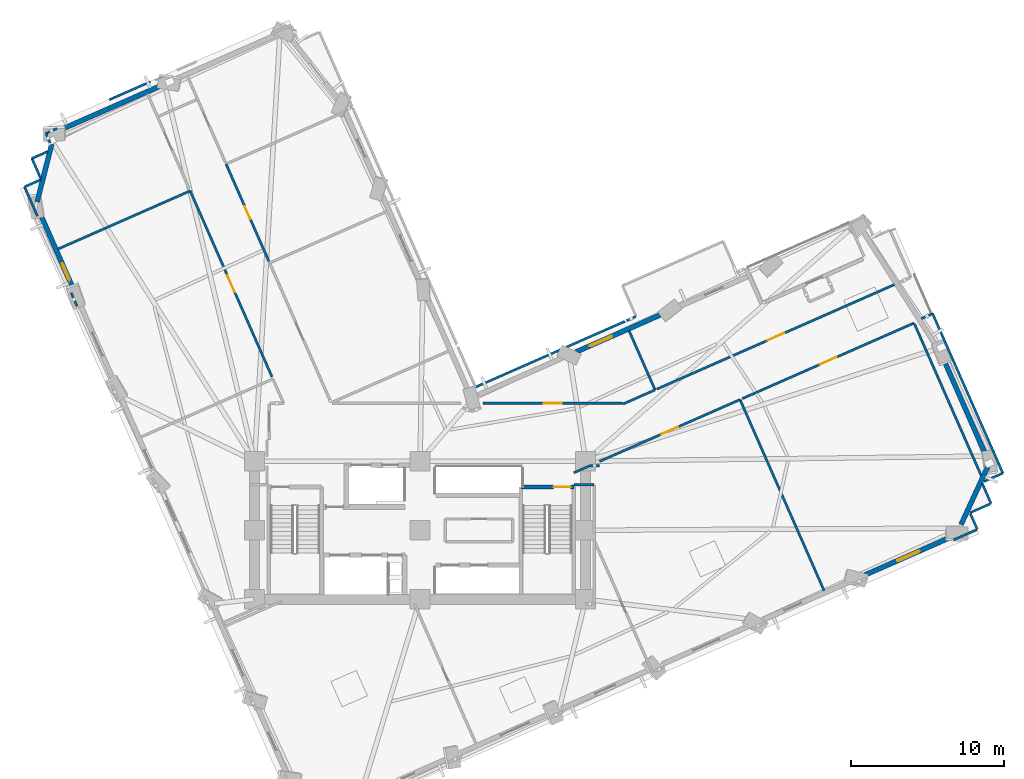
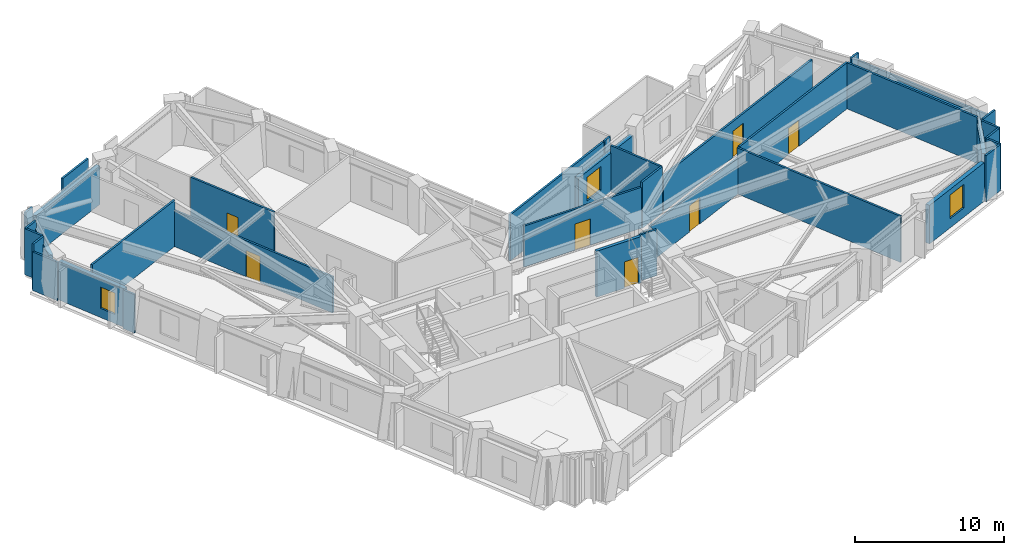
# One storey, part 9 of 15: 39 walls, 7 doors, 3 windows, 10 openings.
"""IFC4 building model written with IfcOpenShell, lengths in metres."""

import ifcopenshell
import ifcopenshell.guid

model = None  # the IFC model being written
_history = None  # IfcOwnerHistory: only IFC2X3 demands one
_inside = {}  # id of a spatial element -> (the spatial element, [elements in it])
_under = {}  # id of a project, library or spatial element -> (it, [spatial elements below it])
_declared = {}  # id of a project -> (the project, [libraries it declares])
_typed = {}  # id of a type object -> (the type object, [elements of that type])
_made_of = {}  # id of a material, layer set ... -> (it, [elements and type objects made of it])


def new_model(schema):
    """Start an empty IFC model of exactly this schema.

    Asked for "IFC4X3", IfcOpenShell would pick the latest addendum, in which some entities
    have other attributes; the version numbers below select the first issue.
    IFC2X3 requires an IfcOwnerHistory on every rooted entity: one is made here for all.
    """
    global model, _history
    if schema == "IFC4X3":
        model = ifcopenshell.file(schema_version=(4, 3, 0, 0))
    else:
        model = ifcopenshell.file(schema=schema)
    _inside.clear()
    _under.clear()
    _declared.clear()
    _typed.clear()
    _made_of.clear()
    _history = None
    if model.schema == "IFC2X3":
        org = make("IfcOrganization", Name="unknown")
        user = make(
            "IfcPersonAndOrganization",
            ThePerson=make("IfcPerson", FamilyName="unknown"),
            TheOrganization=org,
        )
        app = make(
            "IfcApplication",
            ApplicationDeveloper=org,
            Version="unknown",
            ApplicationFullName="unknown",
            ApplicationIdentifier="unknown",
        )
        _history = make(
            "IfcOwnerHistory",
            OwningUser=user,
            OwningApplication=app,
            ChangeAction="ADDED",
            CreationDate=0,
        )
    return model


def make(cls, **values):
    """One entity of the class cls with the attributes given. An attribute that is None is left unset."""
    return model.create_entity(
        cls, **{name: value for name, value in values.items() if value is not None}
    )


def rooted(cls, **values):
    """An entity with a GlobalId (a new one), such as an element, a storey or a relation."""
    return make(cls, GlobalId=ifcopenshell.guid.new(), OwnerHistory=_history, **values)


def si_unit(unit_type, name, prefix=None):
    """IfcSIUnit, for example si_unit("LENGTHUNIT", "METRE", prefix="MILLI")."""
    return make("IfcSIUnit", UnitType=unit_type, Prefix=prefix, Name=name)


def assignment(units):
    """IfcUnitAssignment: the units of a project."""
    return None if units is None else make("IfcUnitAssignment", Units=units)


def point(xyz):
    """IfcCartesianPoint."""
    return None if xyz is None else make("IfcCartesianPoint", Coordinates=xyz)


def direction(xyz):
    """IfcDirection."""
    return None if xyz is None else make("IfcDirection", DirectionRatios=xyz)


def frame(location, z_axis=None, x_axis=None):
    """IfcAxis2Placement3D, a coordinate frame: its origin and axes. An axis left out is left unset."""
    return make(
        "IfcAxis2Placement3D",
        Location=point(location),
        Axis=direction(z_axis),
        RefDirection=direction(x_axis),
    )


def frame_2d(location, x_axis=None):
    """IfcAxis2Placement2D, a coordinate frame in the plane: its origin and x axis."""
    return make(
        "IfcAxis2Placement2D", Location=point(location), RefDirection=direction(x_axis)
    )


def origin():
    """The frame at (0, 0, 0) with its axes left unset."""
    return frame((0.0, 0.0, 0.0))


def place(relative_to, where):
    """IfcLocalPlacement: puts the frame where relative to a parent placement (None: the world)."""
    return make(
        "IfcLocalPlacement", PlacementRelTo=relative_to, RelativePlacement=where
    )


def context(
    kind, dimensions, precision=None, world=None, true_north=None, identifier=None
):
    """IfcGeometricRepresentationContext, for example the 3D "Model" context."""
    return make(
        "IfcGeometricRepresentationContext",
        ContextIdentifier=identifier,
        ContextType=kind,
        CoordinateSpaceDimension=dimensions,
        Precision=precision,
        WorldCoordinateSystem=world,
        TrueNorth=true_north,
    )


def subcontext(parent, identifier, kind, view, scale=None):
    """IfcGeometricRepresentationSubContext, for example "Body" below "Model"."""
    return make(
        "IfcGeometricRepresentationSubContext",
        ContextIdentifier=identifier,
        ContextType=kind,
        ParentContext=parent,
        TargetScale=scale,
        TargetView=view,
    )


def project(units=None, contexts=None):
    """IfcProject with its units and contexts."""
    return rooted(
        "IfcProject",
        Name="project",
        RepresentationContexts=contexts,
        UnitsInContext=assignment(units),
    )


def spatial(cls, under=None, at=None, **own):
    """A site, building, storey or space (cls), placed at a placement, below another one or the project."""
    s = rooted(cls, ObjectPlacement=at, **own)
    if under is not None:
        _under.setdefault(under.id(), (under, []))[1].append(s)
    return s


def profile(cls, at=None, kind="AREA", **sizes):
    """A parametric profile (cls). Its sizes go by their IFC names, for example OverallWidth=200.0."""
    return make(cls, ProfileType=kind, Position=at, **sizes)


def rectangle(**sizes):
    """IfcRectangleProfileDef."""
    return profile("IfcRectangleProfileDef", **sizes)


def extrude(swept, where, along, depth):
    """IfcExtrudedAreaSolid: the profile swept, set in the frame where, extruded along a direction by depth."""
    return make(
        "IfcExtrudedAreaSolid",
        SweptArea=swept,
        Position=where,
        ExtrudedDirection=direction(along),
        Depth=depth,
    )


def shape(context_of_items, identifier, shape_type, items):
    """IfcShapeRepresentation: the items that make up one representation, for example the "Body"."""
    return make(
        "IfcShapeRepresentation",
        ContextOfItems=context_of_items,
        RepresentationIdentifier=identifier,
        RepresentationType=shape_type,
        Items=items,
    )


def material(Name=None, Category=None):
    """IfcMaterial."""
    return make("IfcMaterial", Name=Name, Category=Category)


def layer(
    of_material, thickness, ventilated=None, Name=None, Category=None, Priority=None
):
    """IfcMaterialLayer: one layer of a wall or slab, of a material (None: an air gap)."""
    return make(
        "IfcMaterialLayer",
        Material=of_material,
        LayerThickness=thickness,
        IsVentilated=ventilated,
        Name=Name,
        Category=Category,
        Priority=Priority,
    )


def layer_set(layers, Name=None):
    """IfcMaterialLayerSet."""
    return make("IfcMaterialLayerSet", MaterialLayers=layers, LayerSetName=Name)


def made_of(thing, what):
    """Note that an element or type object is made of a material, layer set ...; save() writes the relation."""
    if what is not None:
        _made_of.setdefault(what.id(), (what, []))[1].append(thing)
    return thing


def type_object(cls, material=None, **own):
    """A type object (cls), such as IfcWallType, which elements share."""
    return made_of(rooted(cls, **own), material)


def element(
    cls,
    number,
    at=None,
    inside=None,
    cuts=None,
    type_object=None,
    material=None,
    context=None,
    identifier="Body",
    shape_type=None,
    held_by="IfcProductDefinitionShape",
    body=None,
    shapes=None,
    **own,
):
    """One element of the class cls, such as IfcWall. Its Tag is "e" and its number.

    at: its placement. inside: the storey or other place that contains it. cuts: it is an
    opening in that element (IfcRelVoidsElement). A single representation is given by context,
    identifier, shape_type and body (its items); several are given by shapes. held_by: the class
    of the entity that holds the representations. save() writes the other relations.
    """
    e = rooted(cls, Tag="e%d" % number, ObjectPlacement=at, **own)
    if body is not None:
        shapes = [shape(context, identifier, shape_type, body)]
    if shapes is not None:
        e.Representation = make(held_by, Representations=shapes)
    if inside is not None:
        _inside.setdefault(inside.id(), (inside, []))[1].append(e)
    if cuts is not None:
        rooted(
            "IfcRelVoidsElement", RelatingBuildingElement=cuts, RelatedOpeningElement=e
        )
    if type_object is not None:
        _typed.setdefault(type_object.id(), (type_object, []))[1].append(e)
    return made_of(e, material)


def fill(opening, filler):
    """IfcRelFillsElement: the door or window that sits in an opening."""
    return rooted(
        "IfcRelFillsElement",
        RelatingOpeningElement=opening,
        RelatedBuildingElement=filler,
    )


def aggregate(whole, parts):
    """IfcRelAggregates: a whole, such as a stair, and the parts it consists of."""
    return rooted("IfcRelAggregates", RelatingObject=whole, RelatedObjects=parts)


def save(model, path):
    """Write the relations noted so far, then the file.

    IfcRelAggregates (storeys below a building ...), IfcRelContainedInSpatialStructure (elements
    in a storey), IfcRelDefinesByType, IfcRelAssociatesMaterial and IfcRelDeclares: one each for
    every whole, place, type object, material and project.
    """
    for whole, parts in _under.values():
        aggregate(whole, parts)
    for where, things in _inside.values():
        rooted(
            "IfcRelContainedInSpatialStructure",
            RelatedElements=things,
            RelatingStructure=where,
        )
    for kind, things in _typed.values():
        rooted("IfcRelDefinesByType", RelatedObjects=things, RelatingType=kind)
    for what, things in _made_of.values():
        rooted("IfcRelAssociatesMaterial", RelatedObjects=things, RelatingMaterial=what)
    for by, libraries in _declared.values():
        rooted("IfcRelDeclares", RelatingContext=by, RelatedDefinitions=libraries)
    model.write(path)


model = new_model("IFC4")

# Units and contexts
model_context = context("Model", 3, precision=1e-05, world=origin(), true_north=direction((0.0, 1.0)))
body_context = subcontext(model_context, "Body", "Model", "MODEL_VIEW")
ifc_project = project(units=[si_unit("LENGTHUNIT", "METRE"), si_unit("AREAUNIT", "SQUARE_METRE"), si_unit("VOLUMEUNIT", "CUBIC_METRE"), si_unit("PLANEANGLEUNIT", "RADIAN"), si_unit("MASSUNIT", "GRAM", prefix="KILO")], contexts=[model_context])

# Site, building, storey
site_placement = place(None, origin())
site = spatial("IfcSite", under=ifc_project, at=site_placement, CompositionType="ELEMENT")
building_placement = place(site_placement, origin())
building = spatial("IfcBuilding", under=site, at=building_placement, Name="Gaonmaruhae Medical Tower", CompositionType="ELEMENT")
storey_placement = place(building_placement, frame((0.0, 0.0, 124.39990234375)))
storey = spatial("IfcBuildingStorey", under=building, at=storey_placement, Name="L29", CompositionType="ELEMENT", Elevation=124.39990234375)

# Wall, opening, window
ifc_material_1 = material(Name="Precast concrete C45/55", Category="concrete")
ifc_layer_1 = layer(ifc_material_1, 0.320068359375)
ifc_layer_set_1 = layer_set([ifc_layer_1], Name="Precast concrete C45/55")
wall_type_1 = type_object("IfcWallType", Name="EW-320 Lower Precast Masonry-Frame Facade Wall", PredefinedType="SOLIDWALL", material=ifc_layer_set_1)
wall_1_placement = place(storey_placement, frame((59.505859375, 11.89013671875, 0.0), z_axis=(0.0, 0.0, 1.0), x_axis=(-0.915325989122, -0.402713711758, 0.0)))
wall_1 = element("IfcWall", 1, at=wall_1_placement, inside=storey, type_object=wall_type_1, Name="L29 Precast Masonry-Frame Wall S06-S07", PredefinedType="SOLIDWALL", context=body_context, shape_type="SweptSolid", body=[
    extrude(rectangle(XDim=6.242431640625, YDim=0.320068359375, at=frame_2d((3.12109375, 0.0))), origin(), (0.0, 0.0, 1.0), 3.1650390625),
])
opening_1_placement = place(wall_1_placement, frame((2.3251953125, 0.0, 0.75)))
opening_1 = element("IfcOpeningElement", 2, at=opening_1_placement, cuts=wall_1, Name="Opening WN-01", PredefinedType="OPENING", context=body_context, shape_type="SweptSolid", body=[
    extrude(rectangle(XDim=1.60009765625, YDim=1.949951171875, at=frame_2d((0.800048828125, 0.97509765625))), frame((0.0, 0.169921875, 0.0), z_axis=(0.0, -1.0, 0.0), x_axis=(1.0, 0.0, 0.0)), (0.0, 0.0, 1.0), 0.340087890625),
])
ifc_material_2 = material(Name="Anodised aluminium and Low-E double glazing", Category="aluminium")
window_type_1 = type_object("IfcWindowType", Name="WN-01 Ward Punched Acoustic Window 1600x1950", PartitioningType="SINGLE_PANEL", PredefinedType="WINDOW", material=ifc_material_2)
window_1_placement = place(opening_1_placement, origin())
window_1 = element("IfcWindow", 3, at=window_1_placement, inside=storey, type_object=window_type_1, Name="L29 Modular Facade Window S06", OverallHeight=1.949951171875, OverallWidth=1.60009765625, PartitioningType="SINGLE_PANEL", PredefinedType="WINDOW", context=body_context, shape_type="SweptSolid", body=[
    extrude(rectangle(XDim=1.60009765625, YDim=1.949951171875, at=frame_2d((0.800048828125, 0.97509765625))), frame((0.0, 0.030029296875, 0.0), z_axis=(0.0, -1.0, 0.0), x_axis=(1.0, 0.0, 0.0)), (0.0, 0.0, 1.0), 0.06005859375),
])
fill(opening_1, window_1)

# Walls
wall_2_placement = place(storey_placement, frame((61.817138671875, 16.4384765625, 0.0), z_axis=(0.0, 0.0, 1.0), x_axis=(-0.419461505916, -0.907773124219, 0.0)))
element("IfcWall", 4, at=wall_2_placement, inside=storey, type_object=wall_type_1, Name="L29 Precast Masonry-Frame Wall S07-E01", PredefinedType="SOLIDWALL", context=body_context, shape_type="SweptSolid", body=[
    extrude(rectangle(XDim=4.145263671875, YDim=0.320068359375, at=frame_2d((2.07275390625, 0.0))), origin(), (0.0, 0.0, 1.0), 3.1650390625),
])
wall_3_placement = place(storey_placement, frame((58.90283203125, 23.533935546875, 0.0), z_axis=(0.0, 0.0, 1.0), x_axis=(0.402727848823, -0.915319769142, 0.0)))
element("IfcWall", 5, at=wall_3_placement, inside=storey, type_object=wall_type_1, Name="L29 Precast Masonry-Frame Wall E01-E02", PredefinedType="SOLIDWALL", context=body_context, shape_type="SweptSolid", body=[
    extrude(rectangle(XDim=6.83984375, YDim=0.320068359375, at=frame_2d((3.419921875, 0.0))), origin(), (0.0, 0.0, 1.0), 3.1650390625),
])

# Wall, opening, window
wall_4_placement = place(storey_placement, frame((34.97412109375, 23.9296875, 0.0), z_axis=(0.0, 0.0, 1.0), x_axis=(0.915298223489, 0.402776814227, 0.0)))
wall_4 = element("IfcWall", 6, at=wall_4_placement, inside=storey, type_object=wall_type_1, Name="L29 Precast Masonry-Frame Wall EN02-EN03", PredefinedType="SOLIDWALL", context=body_context, shape_type="SweptSolid", body=[
    extrude(rectangle(XDim=6.211181640625, YDim=0.320068359375, at=frame_2d((3.10546875, 0.0))), origin(), (0.0, 0.0, 1.0), 3.1650390625),
])
opening_2_placement = place(wall_4_placement, frame((0.953369140625, 0.0, 0.75)))
opening_2 = element("IfcOpeningElement", 7, at=opening_2_placement, cuts=wall_4, Name="Opening WN-01", PredefinedType="OPENING", context=body_context, shape_type="SweptSolid", body=[
    extrude(rectangle(XDim=1.60009765625, YDim=1.949951171875, at=frame_2d((0.800048828125, 0.97509765625))), frame((0.0, 0.169921875, 0.0), z_axis=(0.0, -1.0, 0.0), x_axis=(1.0, 0.0, 0.0)), (0.0, 0.0, 1.0), 0.340087890625),
])
window_2_placement = place(opening_2_placement, origin())
window_2 = element("IfcWindow", 8, at=window_2_placement, inside=storey, type_object=window_type_1, Name="L29 Modular Facade Window EN02", OverallHeight=1.949951171875, OverallWidth=1.60009765625, PartitioningType="SINGLE_PANEL", PredefinedType="WINDOW", context=body_context, shape_type="SweptSolid", body=[
    extrude(rectangle(XDim=1.60009765625, YDim=1.949951171875, at=frame_2d((0.800048828125, 0.97509765625))), frame((0.0, 0.030029296875, 0.0), z_axis=(0.0, -1.0, 0.0), x_axis=(1.0, 0.0, 0.0)), (0.0, 0.0, 1.0), 0.06005859375),
])
fill(opening_2, window_2)

# Walls
wall_5_placement = place(storey_placement, frame((1.193115234375, 38.34521484375, 0.0), z_axis=(0.0, 0.0, 1.0), x_axis=(0.915298195842, 0.402776877052, 0.0)))
element("IfcWall", 9, at=wall_5_placement, inside=storey, type_object=wall_type_1, Name="L29 Precast Masonry-Frame Wall N02-N03", PredefinedType="SOLIDWALL", context=body_context, shape_type="SweptSolid", body=[
    extrude(rectangle(XDim=7.27001953125, YDim=0.320068359375, at=frame_2d((3.635009765625, 0.0))), origin(), (0.0, 0.0, 1.0), 3.1650390625),
])
wall_6_placement = place(storey_placement, frame((-0.174072265625, 33.7158203125, 0.0), z_axis=(0.0, 0.0, 1.0), x_axis=(0.244927522187, 0.969541391007, 0.0)))
element("IfcWall", 10, at=wall_6_placement, inside=storey, type_object=wall_type_1, Name="L29 Precast Masonry-Frame Wall N03-W01", PredefinedType="SOLIDWALL", context=body_context, shape_type="SweptSolid", body=[
    extrude(rectangle(XDim=3.889404296875, YDim=0.320068359375, at=frame_2d((1.94482421875, 0.0))), origin(), (0.0, 0.0, 1.0), 3.1650390625),
])

# Wall, opening, window
wall_7_placement = place(storey_placement, frame((2.25146484375, 27.887939453125, 0.0), z_axis=(0.0, 0.0, 1.0), x_axis=(-0.402764109306, 0.915303814181, 0.0)))
wall_7 = element("IfcWall", 11, at=wall_7_placement, inside=storey, type_object=wall_type_1, Name="L29 Precast Masonry-Frame Wall W01-W02", PredefinedType="SOLIDWALL", context=body_context, shape_type="SweptSolid", body=[
    extrude(rectangle(XDim=5.45556640625, YDim=0.320068359375, at=frame_2d((2.727783203125, 0.0))), origin(), (0.0, 0.0, 1.0), 3.1650390625),
])
opening_3_placement = place(wall_7_placement, frame((0.77294921875, 0.0, 0.75)))
opening_3 = element("IfcOpeningElement", 12, at=opening_3_placement, cuts=wall_7, Name="Opening WN-05", PredefinedType="OPENING", context=body_context, shape_type="SweptSolid", body=[
    extrude(rectangle(XDim=1.199951171875, YDim=1.75, at=frame_2d((0.60009765625, 0.875))), frame((0.0, 0.169921875, 0.0), z_axis=(0.0, -1.0, 0.0), x_axis=(1.0, 0.0, 0.0)), (0.0, 0.0, 1.0), 0.340087890625),
])
window_type_2 = type_object("IfcWindowType", Name="WN-05 Support & Staff Punched Window 1200x1750", PartitioningType="SINGLE_PANEL", PredefinedType="WINDOW", material=ifc_material_2)
window_3_placement = place(opening_3_placement, origin())
window_3 = element("IfcWindow", 13, at=window_3_placement, inside=storey, type_object=window_type_2, Name="L29 Modular Facade Window W01", OverallHeight=1.75, OverallWidth=1.199951171875, PartitioningType="SINGLE_PANEL", PredefinedType="WINDOW", context=body_context, shape_type="SweptSolid", body=[
    extrude(rectangle(XDim=1.199951171875, YDim=1.75, at=frame_2d((0.60009765625, 0.875))), frame((0.0, 0.030029296875, 0.0), z_axis=(0.0, -1.0, 0.0), x_axis=(1.0, 0.0, 0.0)), (0.0, 0.0, 1.0), 0.06005859375),
])
fill(opening_3, window_3)

# Walls
ifc_material_3 = material(Name="Gypsum board partition", Category="gypsum")
ifc_layer_2 = layer(ifc_material_3, 0.14990234375)
ifc_layer_set_2 = layer_set([ifc_layer_2], Name="Gypsum board partition")
wall_type_2 = type_object("IfcWallType", Name="PW-150 Rated Clinical Corridor Partition", PredefinedType="PARTITIONING", material=ifc_layer_set_2)
wall_8_placement = place(storey_placement, frame((34.830078125, 16.054931640625, 0.0), z_axis=(0.0, 0.0, 1.0), x_axis=(0.915380147415, 0.402590593182, 0.0)))
element("IfcWall", 14, at=wall_8_placement, inside=storey, type_object=wall_type_2, Name="L29 Interior Partition L29-SUP03-19", PredefinedType="PARTITIONING", context=body_context, shape_type="SweptSolid", body=[
    extrude(rectangle(XDim=1.10546875, YDim=0.14990234375, at=frame_2d((0.552734375, 0.0))), origin(), (0.0, 0.0, 1.0), 2.945068359375),
])
wall_9_placement = place(storey_placement, frame((35.842041015625, 16.5, 0.0), z_axis=(0.0, 0.0, 1.0), x_axis=(1.0, 0.0, 0.0)))
element("IfcWall", 15, at=wall_9_placement, inside=storey, type_object=wall_type_2, Name="L29 Interior Partition L29-SUP03-20", PredefinedType="PARTITIONING", context=body_context, shape_type="SweptSolid", body=[
    extrude(rectangle(XDim=0.657958984375, YDim=0.14990234375, at=frame_2d((0.3291015625, 0.0))), origin(), (0.0, 0.0, 1.0), 2.965087890625),
])

# Wall, opening, door
wall_10_placement = place(storey_placement, frame((36.5, 16.7900390625, 0.0), z_axis=(0.0, 0.0, 1.0), x_axis=(0.915322583173, 0.402721453034, 0.0)))
wall_10 = element("IfcWall", 16, at=wall_10_placement, inside=storey, type_object=wall_type_2, Name="L29 Interior Partition L29-SUP03-21", PredefinedType="PARTITIONING", context=body_context, shape_type="SweptSolid", body=[
    extrude(rectangle(XDim=10.01171875, YDim=0.14990234375, at=frame_2d((5.005859375, 0.0))), origin(), (0.0, 0.0, 1.0), 2.965087890625),
])
opening_4_placement = place(wall_10_placement, frame((4.406005859375, 0.0, 0.0)))
opening_4 = element("IfcOpeningElement", 17, at=opening_4_placement, cuts=wall_10, Name="Opening CD-02", PredefinedType="OPENING", context=body_context, shape_type="SweptSolid", body=[
    extrude(rectangle(XDim=1.199951171875, YDim=2.14990234375, at=frame_2d((0.60009765625, 1.074951171875))), frame((0.0, 0.0849609375, 0.0), z_axis=(0.0, -1.0, 0.0), x_axis=(1.0, 0.0, 0.0)), (0.0, 0.0, 1.0), 0.169921875),
])
ifc_material_4 = material(Name="Antimicrobial laminate timber fire door", Category="wood")
door_type_1 = type_object("IfcDoorType", Name="CD-02 Clinical Treatment & Procedure Door 1200x2150", OperationType="NOTDEFINED", PredefinedType="DOOR", material=ifc_material_4)
door_1_placement = place(opening_4_placement, origin())
door_1 = element("IfcDoor", 18, at=door_1_placement, inside=storey, type_object=door_type_1, Name="L29 Clinical Biomedical Charting Office Door", OperationType="SINGLE_SWING_RIGHT", OverallHeight=2.14990234375, OverallWidth=1.199951171875, PredefinedType="DOOR", context=body_context, shape_type="SweptSolid", body=[
    extrude(rectangle(XDim=1.199951171875, YDim=2.14990234375, at=frame_2d((0.60009765625, 1.074951171875))), frame((0.0, 0.02490234375, 0.0), z_axis=(0.0, -1.0, 0.0), x_axis=(1.0, 0.0, 0.0)), (0.0, 0.0, 1.0), 0.050048828125),
])
fill(opening_4, door_1)

# Walls
wall_11_placement = place(storey_placement, frame((45.6640625, 20.822021484375, 0.0), z_axis=(0.0, 0.0, 1.0), x_axis=(0.402718182195, -0.915324022262, 0.0)))
element("IfcWall", 19, at=wall_11_placement, inside=storey, type_object=wall_type_2, Name="L29 Interior Partition L29-SUP03-22", PredefinedType="PARTITIONING", context=body_context, shape_type="SweptSolid", body=[
    extrude(rectangle(XDim=13.61474609375, YDim=0.14990234375, at=frame_2d((6.807373046875, 0.0))), origin(), (0.0, 0.0, 1.0), 3.780029296875),
])
wall_12_placement = place(storey_placement, frame((36.14990234375, 15.260009765625, 0.0), z_axis=(0.0, 0.0, 1.0), x_axis=(-1.0, 0.0, 0.0)))
element("IfcWall", 20, at=wall_12_placement, inside=storey, type_object=wall_type_2, Name="L29 Interior Partition L29-SUP03-26", PredefinedType="PARTITIONING", context=body_context, shape_type="SweptSolid", body=[
    extrude(rectangle(XDim=1.2998046875, YDim=0.14990234375, at=frame_2d((0.64990234375, 0.0))), origin(), (0.0, 0.0, 1.0), 3.780029296875),
])

# Wall, opening, door
wall_13_placement = place(storey_placement, frame((45.81005859375, 20.885986328125, 0.0), z_axis=(0.0, 0.0, 1.0), x_axis=(0.915307973906, 0.402754655969, 0.0)))
wall_13 = element("IfcWall", 21, at=wall_13_placement, inside=storey, type_object=wall_type_2, Name="L29 Interior Partition L29-SUP04-27", PredefinedType="PARTITIONING", context=body_context, shape_type="SweptSolid", body=[
    extrude(rectangle(XDim=12.240478515625, YDim=0.14990234375, at=frame_2d((6.1201171875, 0.0))), origin(), (0.0, 0.0, 1.0), 3.780029296875),
])
opening_5_placement = place(wall_13_placement, frame((5.520263671875, 0.0, 0.0)))
opening_5 = element("IfcOpeningElement", 22, at=opening_5_placement, cuts=wall_13, Name="Opening CD-02", PredefinedType="OPENING", context=body_context, shape_type="SweptSolid", body=[
    extrude(rectangle(XDim=1.199951171875, YDim=2.14990234375, at=frame_2d((0.60009765625, 1.074951171875))), frame((0.0, 0.0849609375, 0.0), z_axis=(0.0, -1.0, 0.0), x_axis=(1.0, 0.0, 0.0)), (0.0, 0.0, 1.0), 0.169921875),
])
door_2_placement = place(opening_5_placement, origin())
door_2 = element("IfcDoor", 23, at=door_2_placement, inside=storey, type_object=door_type_1, Name="L29 Clinical Biomedical Charting Office Door", OperationType="SINGLE_SWING_LEFT", OverallHeight=2.14990234375, OverallWidth=1.199951171875, PredefinedType="DOOR", context=body_context, shape_type="SweptSolid", body=[
    extrude(rectangle(XDim=1.199951171875, YDim=2.14990234375, at=frame_2d((0.60009765625, 1.074951171875))), frame((0.0, 0.02490234375, 0.0), z_axis=(0.0, -1.0, 0.0), x_axis=(1.0, 0.0, 0.0)), (0.0, 0.0, 1.0), 0.050048828125),
])
fill(opening_5, door_2)

# Walls
wall_14_placement = place(storey_placement, frame((57.033935546875, 25.77001953125, 0.0), z_axis=(0.0, 0.0, 1.0), x_axis=(0.402780146141, -0.915296757273, 0.0)))
element("IfcWall", 24, at=wall_14_placement, inside=storey, type_object=wall_type_2, Name="L29 Interior Partition L29-SUP04-28", PredefinedType="PARTITIONING", context=body_context, shape_type="SweptSolid", body=[
    extrude(rectangle(XDim=10.834716796875, YDim=0.14990234375, at=frame_2d((5.41748046875, 0.0))), origin(), (0.0, 0.0, 1.0), 3.780029296875),
])
wall_15_placement = place(storey_placement, frame((61.465087890625, 15.35302734375, 0.0), z_axis=(0.0, 0.0, 1.0), x_axis=(0.402447017593, -0.915443279527, 0.0)))
element("IfcWall", 25, at=wall_15_placement, inside=storey, type_object=wall_type_2, Name="L29 Interior Partition L29-SUP04-29", PredefinedType="PARTITIONING", context=body_context, shape_type="SweptSolid", body=[
    extrude(rectangle(XDim=1.43115234375, YDim=0.14990234375, at=frame_2d((0.715576171875, 0.0))), origin(), (0.0, 0.0, 1.0), 3.780029296875),
])
wall_16_placement = place(storey_placement, frame((61.9951171875, 14.02294921875, 0.0), z_axis=(0.0, 0.0, 1.0), x_axis=(-0.915305100978, -0.402761184978, 0.0)))
element("IfcWall", 26, at=wall_16_placement, inside=storey, type_object=wall_type_2, Name="L29 Interior Partition L29-SUP04-30", PredefinedType="PARTITIONING", context=body_context, shape_type="SweptSolid", body=[
    extrude(rectangle(XDim=1.449951171875, YDim=0.14990234375, at=frame_2d((0.72509765625, 0.0))), origin(), (0.0, 0.0, 1.0), 3.780029296875),
])
wall_17_placement = place(storey_placement, frame((60.68798828125, 13.39306640625, 0.0), z_axis=(0.0, 0.0, 1.0), x_axis=(0.402767578813, -0.915302287475, 0.0)))
element("IfcWall", 27, at=wall_17_placement, inside=storey, type_object=wall_type_2, Name="L29 Interior Partition L29-SUP04-31", PredefinedType="PARTITIONING", context=body_context, shape_type="SweptSolid", body=[
    extrude(rectangle(XDim=1.1298828125, YDim=0.14990234375, at=frame_2d((0.56494140625, 0.0))), origin(), (0.0, 0.0, 1.0), 3.780029296875),
])
wall_18_placement = place(storey_placement, frame((61.096923828125, 12.339111328125, 0.0), z_axis=(0.0, 0.0, 1.0), x_axis=(-0.915061929337, -0.403313358913, 0.0)))
element("IfcWall", 28, at=wall_18_placement, inside=storey, type_object=wall_type_2, Name="L29 Interior Partition L29-SUP04-32", PredefinedType="PARTITIONING", context=body_context, shape_type="SweptSolid", body=[
    extrude(rectangle(XDim=1.63671875, YDim=0.14990234375, at=frame_2d((0.818359375, 0.0))), origin(), (0.0, 0.0, 1.0), 3.780029296875),
])
wall_19_placement = place(storey_placement, frame((1.18798828125, 30.64111328125, 0.0), z_axis=(0.0, 0.0, 1.0), x_axis=(0.915293999978, 0.40278641189, 0.0)))
element("IfcWall", 29, at=wall_19_placement, inside=storey, type_object=wall_type_2, Name="L29 Interior Partition L29-WOF06-44", PredefinedType="PARTITIONING", context=body_context, shape_type="SweptSolid", body=[
    extrude(rectangle(XDim=9.414306640625, YDim=0.14990234375, at=frame_2d((4.70703125, 0.0))), origin(), (0.0, 0.0, 1.0), 3.780029296875),
])

# Wall, opening, door
wall_20_placement = place(storey_placement, frame((9.804931640625, 34.43310546875, 0.0), z_axis=(0.0, 0.0, 1.0), x_axis=(0.402775689137, -0.915298718583, 0.0)))
wall_20 = element("IfcWall", 30, at=wall_20_placement, inside=storey, type_object=wall_type_2, Name="L29 Interior Partition L29-WOF06-45", PredefinedType="PARTITIONING", context=body_context, shape_type="SweptSolid", body=[
    extrude(rectangle(XDim=13.24072265625, YDim=0.14990234375, at=frame_2d((6.620361328125, 0.0))), origin(), (0.0, 0.0, 1.0), 2.965087890625),
])
opening_6_placement = place(wall_20_placement, frame((6.020263671875, 0.0, 0.0)))
opening_6 = element("IfcOpeningElement", 31, at=opening_6_placement, cuts=wall_20, Name="Opening CD-02", PredefinedType="OPENING", context=body_context, shape_type="SweptSolid", body=[
    extrude(rectangle(XDim=1.199951171875, YDim=2.14990234375, at=frame_2d((0.60009765625, 1.074951171875))), frame((0.0, 0.0849609375, 0.0), z_axis=(0.0, -1.0, 0.0), x_axis=(1.0, 0.0, 0.0)), (0.0, 0.0, 1.0), 0.169921875),
])
door_3_placement = place(opening_6_placement, origin())
door_3 = element("IfcDoor", 32, at=door_3_placement, inside=storey, type_object=door_type_1, Name="L29 Ward Physician Reporting Office Door", OperationType="SINGLE_SWING_LEFT", OverallHeight=2.14990234375, OverallWidth=1.199951171875, PredefinedType="DOOR", context=body_context, shape_type="SweptSolid", body=[
    extrude(rectangle(XDim=1.199951171875, YDim=2.14990234375, at=frame_2d((0.60009765625, 1.074951171875))), frame((0.0, 0.02490234375, 0.0), z_axis=(0.0, -1.0, 0.0), x_axis=(1.0, 0.0, 0.0)), (0.0, 0.0, 1.0), 0.050048828125),
])
fill(opening_6, door_3)

# Walls
wall_21_placement = place(storey_placement, frame((2.427978515625, 26.916015625, 0.0), z_axis=(0.0, 0.0, 1.0), x_axis=(-0.402951596104, 0.915221290835, 0.0)))
element("IfcWall", 33, at=wall_21_placement, inside=storey, type_object=wall_type_2, Name="L29 Interior Partition L29-WOF06-47", PredefinedType="PARTITIONING", context=body_context, shape_type="SweptSolid", body=[
    extrude(rectangle(XDim=0.960205078125, YDim=0.14990234375, at=frame_2d((0.47998046875, 0.0))), origin(), (0.0, 0.0, 1.0), 3.1650390625),
])
wall_22_placement = place(storey_placement, frame((-0.52294921875, 36.552001953125, 0.0), z_axis=(0.0, 0.0, 1.0), x_axis=(0.915466781899, 0.402393552681, 0.0)))
element("IfcWall", 34, at=wall_22_placement, inside=storey, type_object=wall_type_2, Name="L29 Interior Partition L29-WOF07-48", PredefinedType="PARTITIONING", context=body_context, shape_type="SweptSolid", body=[
    extrude(rectangle(XDim=1.13818359375, YDim=0.14990234375, at=frame_2d((0.569091796875, 0.0))), origin(), (0.0, 0.0, 1.0), 3.780029296875),
])
wall_23_placement = place(storey_placement, frame((0.669921875, 37.56591796875, 0.0), z_axis=(0.0, 0.0, 1.0), x_axis=(-0.402702139946, 0.915331080256, 0.0)))
element("IfcWall", 35, at=wall_23_placement, inside=storey, type_object=wall_type_2, Name="L29 Interior Partition L29-WOF07-49", PredefinedType="PARTITIONING", context=body_context, shape_type="SweptSolid", body=[
    extrude(rectangle(XDim=0.6728515625, YDim=0.14990234375, at=frame_2d((0.33642578125, 0.0))), origin(), (0.0, 0.0, 1.0), 2.965087890625),
])
wall_24_placement = place(storey_placement, frame((0.39892578125, 38.181884765625, 0.0), z_axis=(0.0, 0.0, 1.0), x_axis=(0.915292309977, 0.402790252236, 0.0)))
element("IfcWall", 36, at=wall_24_placement, inside=storey, type_object=wall_type_2, Name="L29 Interior Partition L29-WOF07-50", PredefinedType="PARTITIONING", context=body_context, shape_type="SweptSolid", body=[
    extrude(rectangle(XDim=0.792236328125, YDim=0.14990234375, at=frame_2d((0.39599609375, 0.0))), origin(), (0.0, 0.0, 1.0), 3.780029296875),
])
wall_25_placement = place(storey_placement, frame((-0.156005859375, 32.7890625, 0.0), z_axis=(0.0, 0.0, 1.0), x_axis=(-0.402898926932, 0.915244478092, 0.0)))
element("IfcWall", 37, at=wall_25_placement, inside=storey, type_object=wall_type_2, Name="L29 Interior Partition L29-WOF07-52", PredefinedType="PARTITIONING", context=body_context, shape_type="SweptSolid", body=[
    extrude(rectangle(XDim=2.09228515625, YDim=0.14990234375, at=frame_2d((1.046142578125, 0.0))), origin(), (0.0, 0.0, 1.0), 3.1650390625),
])
wall_26_placement = place(storey_placement, frame((-0.9990234375, 34.7041015625, 0.0), z_axis=(0.0, 0.0, 1.0), x_axis=(0.915311900217, 0.402745732841, 0.0)))
element("IfcWall", 38, at=wall_26_placement, inside=storey, type_object=wall_type_2, Name="L29 Interior Partition L29-WOF07-53", PredefinedType="PARTITIONING", context=body_context, shape_type="SweptSolid", body=[
    extrude(rectangle(XDim=1.1494140625, YDim=0.14990234375, at=frame_2d((0.57470703125, 0.0))), origin(), (0.0, 0.0, 1.0), 3.780029296875),
])
wall_27_placement = place(storey_placement, frame((0.06494140625, 35.215087890625, 0.0), z_axis=(0.0, 0.0, 1.0), x_axis=(-0.402536929089, 0.915403747381, 0.0)))
element("IfcWall", 39, at=wall_27_placement, inside=storey, type_object=wall_type_2, Name="L29 Interior Partition L29-WOF07-54", PredefinedType="PARTITIONING", context=body_context, shape_type="SweptSolid", body=[
    extrude(rectangle(XDim=1.46044921875, YDim=0.14990234375, at=frame_2d((0.730224609375, 0.0))), origin(), (0.0, 0.0, 1.0), 3.780029296875),
])

# Wall, opening, door
wall_28_placement = place(storey_placement, frame((38.0, 20.580078125, 0.0), z_axis=(0.0, 0.0, 1.0), x_axis=(-1.0, 0.0, 0.0)))
wall_28 = element("IfcWall", 40, at=wall_28_placement, inside=storey, type_object=wall_type_2, Name="L29 Interior Partition L29-IE01-55", PredefinedType="PARTITIONING", context=body_context, shape_type="SweptSolid", body=[
    extrude(rectangle(XDim=9.093017578125, YDim=0.14990234375, at=frame_2d((4.54638671875, 0.0))), origin(), (0.0, 0.0, 1.0), 3.364990234375),
])
opening_7_placement = place(wall_28_placement, frame((3.946533203125, 0.0, 0.0)))
opening_7 = element("IfcOpeningElement", 41, at=opening_7_placement, cuts=wall_28, Name="Opening CD-02", PredefinedType="OPENING", context=body_context, shape_type="SweptSolid", body=[
    extrude(rectangle(XDim=1.199951171875, YDim=2.14990234375, at=frame_2d((0.60009765625, 1.074951171875))), frame((0.0, 0.0849609375, 0.0), z_axis=(0.0, -1.0, 0.0), x_axis=(1.0, 0.0, 0.0)), (0.0, 0.0, 1.0), 0.169921875),
])
door_4_placement = place(opening_7_placement, origin())
door_4 = element("IfcDoor", 42, at=door_4_placement, inside=storey, type_object=door_type_1, Name="L29 Central Clinical Nurse Station Door", OperationType="SINGLE_SWING_RIGHT", OverallHeight=2.14990234375, OverallWidth=1.199951171875, PredefinedType="DOOR", context=body_context, shape_type="SweptSolid", body=[
    extrude(rectangle(XDim=1.199951171875, YDim=2.14990234375, at=frame_2d((0.60009765625, 1.074951171875))), frame((0.0, 0.02490234375, 0.0), z_axis=(0.0, -1.0, 0.0), x_axis=(1.0, 0.0, 0.0)), (0.0, 0.0, 1.0), 0.050048828125),
])
fill(opening_7, door_4)

# Walls
wall_29_placement = place(storey_placement, frame((28.429931640625, 21.65087890625, 0.0), z_axis=(0.0, 0.0, 1.0), x_axis=(0.915314693601, 0.402739384314, 0.0)))
element("IfcWall", 43, at=wall_29_placement, inside=storey, type_object=wall_type_2, Name="L29 Interior Partition L29-IE01-61", PredefinedType="PARTITIONING", context=body_context, shape_type="SweptSolid", body=[
    extrude(rectangle(XDim=10.624755859375, YDim=0.14990234375, at=frame_2d((5.3125, 0.0))), origin(), (0.0, 0.0, 1.0), 3.780029296875),
])
wall_30_placement = place(storey_placement, frame((38.430908203125, 25.302978515625, 0.0), z_axis=(0.0, 0.0, 1.0), x_axis=(0.402660781554, -0.915349274866, 0.0)))
element("IfcWall", 44, at=wall_30_placement, inside=storey, type_object=wall_type_2, Name="L29 Interior Partition L29-IE01-62", PredefinedType="PARTITIONING", context=body_context, shape_type="SweptSolid", body=[
    extrude(rectangle(XDim=4.204833984375, YDim=0.14990234375, at=frame_2d((2.1025390625, 0.0))), origin(), (0.0, 0.0, 1.0), 3.780029296875),
])
wall_31_placement = place(storey_placement, frame((40.1240234375, 21.4541015625, 0.0), z_axis=(0.0, 0.0, 1.0), x_axis=(-0.915349649127, -0.402659930763, 0.0)))
element("IfcWall", 45, at=wall_31_placement, inside=storey, type_object=wall_type_2, Name="L29 Interior Partition L29-IE01-63", PredefinedType="PARTITIONING", context=body_context, shape_type="SweptSolid", body=[
    extrude(rectangle(XDim=2.28759765625, YDim=0.14990234375, at=frame_2d((1.143798828125, 0.0))), origin(), (0.0, 0.0, 1.0), 3.780029296875),
])

# Wall, opening, door
wall_32_placement = place(storey_placement, frame((55.739013671875, 28.325927734375, 0.0), z_axis=(0.0, 0.0, 1.0), x_axis=(-0.915298880847, -0.402775320396, 0.0)))
wall_32 = element("IfcWall", 46, at=wall_32_placement, inside=storey, type_object=wall_type_2, Name="L29 Interior Partition L29-IE02-75", PredefinedType="PARTITIONING", context=body_context, shape_type="SweptSolid", body=[
    extrude(rectangle(XDim=16.93994140625, YDim=0.14990234375, at=frame_2d((8.469970703125, 0.0))), origin(), (0.0, 0.0, 1.0), 2.945068359375),
])
opening_8_placement = place(wall_32_placement, frame((7.869873046875, 0.0, 0.0)))
opening_8 = element("IfcOpeningElement", 47, at=opening_8_placement, cuts=wall_32, Name="Opening CD-02", PredefinedType="OPENING", context=body_context, shape_type="SweptSolid", body=[
    extrude(rectangle(XDim=1.199951171875, YDim=2.14990234375, at=frame_2d((0.60009765625, 1.074951171875))), frame((0.0, 0.0849609375, 0.0), z_axis=(0.0, -1.0, 0.0), x_axis=(1.0, 0.0, 0.0)), (0.0, 0.0, 1.0), 0.169921875),
])
door_5_placement = place(opening_8_placement, origin())
door_5 = element("IfcDoor", 48, at=door_5_placement, inside=storey, type_object=door_type_1, Name="L29 Acute Treatment Examination Room Door", OperationType="SINGLE_SWING_LEFT", OverallHeight=2.14990234375, OverallWidth=1.199951171875, PredefinedType="DOOR", context=body_context, shape_type="SweptSolid", body=[
    extrude(rectangle(XDim=1.199951171875, YDim=2.14990234375, at=frame_2d((0.60009765625, 1.074951171875))), frame((0.0, 0.02490234375, 0.0), z_axis=(0.0, -1.0, 0.0), x_axis=(1.0, 0.0, 0.0)), (0.0, 0.0, 1.0), 0.050048828125),
])
fill(opening_8, door_5)

# Wall
wall_33_placement = place(storey_placement, frame((38.263916015625, 25.97802734375, 0.0), z_axis=(0.0, 0.0, 1.0), x_axis=(0.915079211877, 0.403274144958, 0.0)))
element("IfcWall", 49, at=wall_33_placement, inside=storey, type_object=wall_type_2, Name="L29 Interior Partition L29-IE02-76", PredefinedType="PARTITIONING", context=body_context, shape_type="SweptSolid", body=[
    extrude(rectangle(XDim=0.65673828125, YDim=0.14990234375, at=frame_2d((0.328369140625, 0.0))), origin(), (0.0, 0.0, 1.0), 3.780029296875),
])

# Wall, opening, door
wall_34_placement = place(storey_placement, frame((14.93896484375, 29.841064453125, 0.0), z_axis=(0.0, 0.0, 1.0), x_axis=(-0.402749239906, 0.915310357068, 0.0)))
wall_34 = element("IfcWall", 50, at=wall_34_placement, inside=storey, type_object=wall_type_2, Name="L29 Interior Partition L29-IN02-82", PredefinedType="PARTITIONING", context=body_context, shape_type="SweptSolid", body=[
    extrude(rectangle(XDim=6.929931640625, YDim=0.14990234375, at=frame_2d((3.46484375, 0.0))), origin(), (0.0, 0.0, 1.0), 3.780029296875),
])
opening_9_placement = place(wall_34_placement, frame((3.0048828125, 0.0, 0.0)))
opening_9 = element("IfcOpeningElement", 51, at=opening_9_placement, cuts=wall_34, Name="Opening UD-01", PredefinedType="OPENING", context=body_context, shape_type="SweptSolid", body=[
    extrude(rectangle(XDim=0.919921875, YDim=2.10009765625, at=frame_2d((0.4599609375, 1.050048828125))), frame((0.0, 0.0849609375, 0.0), z_axis=(0.0, -1.0, 0.0), x_axis=(1.0, 0.0, 0.0)), (0.0, 0.0, 1.0), 0.169921875),
])
ifc_material_5 = material(Name="Powder-coated steel utility door", Category="steel")
door_type_2 = type_object("IfcDoorType", Name="UD-01 Toilet, Utility & Housekeeping Door 920x2100", OperationType="NOTDEFINED", PredefinedType="DOOR", material=ifc_material_5)
door_6_placement = place(opening_9_placement, origin())
door_6 = element("IfcDoor", 52, at=door_6_placement, inside=storey, type_object=door_type_2, Name="L29 Ward Nutrition Pantry Door", OperationType="SINGLE_SWING_RIGHT", OverallHeight=2.10009765625, OverallWidth=0.919921875, PredefinedType="DOOR", context=body_context, shape_type="SweptSolid", body=[
    extrude(rectangle(XDim=0.919921875, YDim=2.10009765625, at=frame_2d((0.4599609375, 1.050048828125))), frame((0.0, 0.02490234375, 0.0), z_axis=(0.0, -1.0, 0.0), x_axis=(1.0, 0.0, 0.0)), (0.0, 0.0, 1.0), 0.050048828125),
])
fill(opening_9, door_6)

# Walls
wall_35_placement = place(storey_placement, frame((4.5419921875, 40.386962890625, 0.0), z_axis=(0.0, 0.0, 1.0), x_axis=(0.915338549024, 0.402685163212, 0.0)))
element("IfcWall", 53, at=wall_35_placement, inside=storey, type_object=wall_type_2, Name="L29 Interior Partition L29-RM01-91", PredefinedType="PARTITIONING", context=body_context, shape_type="SweptSolid", body=[
    extrude(rectangle(XDim=2.908447265625, YDim=0.14990234375, at=frame_2d((1.4541015625, 0.0))), origin(), (0.0, 0.0, 1.0), 3.780029296875),
])
wall_36_placement = place(storey_placement, frame((57.48095703125, 26.097900390625, 0.0), z_axis=(0.0, 0.0, 1.0), x_axis=(0.915086186066, 0.403258319283, 0.0)))
element("IfcWall", 54, at=wall_36_placement, inside=storey, type_object=wall_type_2, Name="L29 Interior Partition L29-RM02-94", PredefinedType="PARTITIONING", context=body_context, shape_type="SweptSolid", body=[
    extrude(rectangle(XDim=0.818603515625, YDim=0.14990234375, at=frame_2d((0.4091796875, 0.0))), origin(), (0.0, 0.0, 1.0), 3.780029296875),
])
wall_37_placement = place(storey_placement, frame((58.22998046875, 26.427978515625, 0.0), z_axis=(0.0, 0.0, 1.0), x_axis=(0.402812728397, -0.915282418624, 0.0)))
element("IfcWall", 55, at=wall_37_placement, inside=storey, type_object=wall_type_2, Name="L29 Interior Partition L29-RM02-95", PredefinedType="PARTITIONING", context=body_context, shape_type="SweptSolid", body=[
    extrude(rectangle(XDim=11.370361328125, YDim=0.14990234375, at=frame_2d((5.68505859375, 0.0))), origin(), (0.0, 0.0, 1.0), 3.1650390625),
])
wall_38_placement = place(storey_placement, frame((62.81005859375, 16.02099609375, 0.0), z_axis=(0.0, 0.0, 1.0), x_axis=(-0.915277434987, -0.402824052167, 0.0)))
element("IfcWall", 56, at=wall_38_placement, inside=storey, type_object=wall_type_2, Name="L29 Interior Partition L29-RM02-96", PredefinedType="PARTITIONING", context=body_context, shape_type="SweptSolid", body=[
    extrude(rectangle(XDim=1.340576171875, YDim=0.14990234375, at=frame_2d((0.67041015625, 0.0))), origin(), (0.0, 0.0, 1.0), 3.780029296875),
])

# Wall, opening, door
ifc_material_6 = material(Name="Concrete C50/60", Category="concrete")
ifc_layer_3 = layer(ifc_material_6, 0.239990234375)
ifc_layer_set_3 = layer_set([ifc_layer_3], Name="Concrete C50/60")
wall_type_3 = type_object("IfcWallType", Name="SW-240 Dogleg Stair Tight Shaft Wall", PredefinedType="SOLIDWALL", material=ifc_layer_set_3)
wall_39_placement = place(storey_placement, frame((31.3701171875, 15.1201171875, 0.0), z_axis=(0.0, 0.0, 1.0), x_axis=(1.0, 0.0, 0.0)))
wall_39 = element("IfcWall", 57, at=wall_39_placement, inside=storey, type_object=wall_type_3, Name="L29 ST-02 Stair Shaft Wall SHW-ST-02-N", PredefinedType="SOLIDWALL", context=body_context, shape_type="SweptSolid", body=[
    extrude(rectangle(XDim=3.4599609375, YDim=0.239990234375, at=frame_2d((1.72998046875, 0.0))), origin(), (0.0, 0.0, 1.0), 3.780029296875),
])
opening_10_placement = place(wall_39_placement, frame((2.139892578125, 0.0, 0.0)))
opening_10 = element("IfcOpeningElement", 58, at=opening_10_placement, cuts=wall_39, Name="Opening FD-01", PredefinedType="OPENING", context=body_context, shape_type="SweptSolid", body=[
    extrude(rectangle(XDim=1.10009765625, YDim=2.14990234375, at=frame_2d((0.550048828125, 1.074951171875))), frame((0.0, 0.1298828125, 0.0), z_axis=(0.0, -1.0, 0.0), x_axis=(1.0, 0.0, 0.0)), (0.0, 0.0, 1.0), 0.260009765625),
])
ifc_material_7 = material(Name="Powder-coated steel fire door", Category="steel")
door_type_3 = type_object("IfcDoorType", Name="FD-01 Escape Stair Protected Fire Door 1100x2150", OperationType="NOTDEFINED", PredefinedType="DOOR", material=ifc_material_7)
door_7_placement = place(opening_10_placement, origin())
door_7 = element("IfcDoor", 59, at=door_7_placement, inside=storey, type_object=door_type_3, Name="L29 ST-02 Protected Escape Stair Door", OperationType="SINGLE_SWING_RIGHT", OverallHeight=2.14990234375, OverallWidth=1.10009765625, PredefinedType="DOOR", context=body_context, shape_type="SweptSolid", body=[
    extrude(rectangle(XDim=1.10009765625, YDim=2.14990234375, at=frame_2d((0.550048828125, 1.074951171875))), frame((0.0, 0.02490234375, 0.0), z_axis=(0.0, -1.0, 0.0), x_axis=(1.0, 0.0, 0.0)), (0.0, 0.0, 1.0), 0.050048828125),
])
fill(opening_10, door_7)

save(model, "model.ifc")
